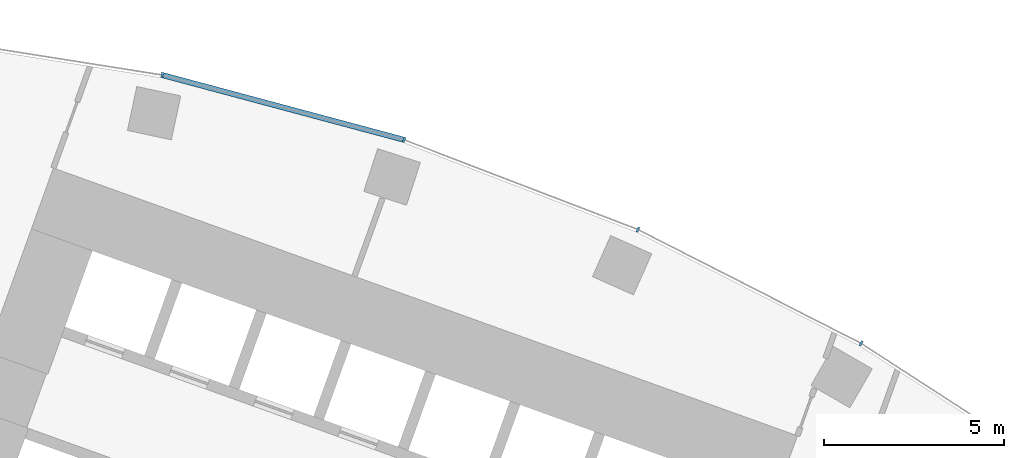
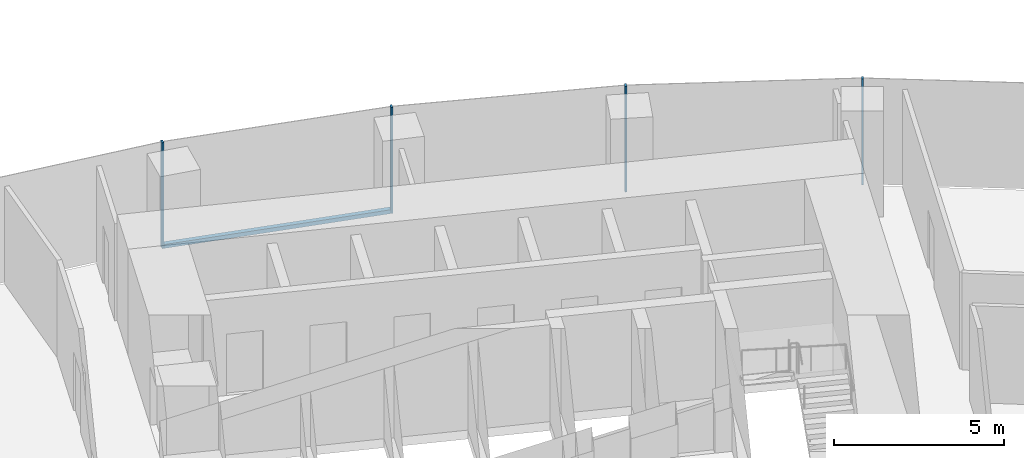
# One storey, part 11 of 21: 5 members, 1 element without a shape of its own.
"""IFC4 building model written with IfcOpenShell, lengths in metres."""

import ifcopenshell
import ifcopenshell.guid

model = None  # the IFC model being written
_history = None  # IfcOwnerHistory: only IFC2X3 demands one
_inside = {}  # id of a spatial element -> (the spatial element, [elements in it])
_under = {}  # id of a project, library or spatial element -> (it, [spatial elements below it])
_declared = {}  # id of a project -> (the project, [libraries it declares])
_typed = {}  # id of a type object -> (the type object, [elements of that type])
_made_of = {}  # id of a material, layer set ... -> (it, [elements and type objects made of it])


def new_model(schema):
    """Start an empty IFC model of exactly this schema.

    Asked for "IFC4X3", IfcOpenShell would pick the latest addendum, in which some entities
    have other attributes; the version numbers below select the first issue.
    IFC2X3 requires an IfcOwnerHistory on every rooted entity: one is made here for all.
    """
    global model, _history
    if schema == "IFC4X3":
        model = ifcopenshell.file(schema_version=(4, 3, 0, 0))
    else:
        model = ifcopenshell.file(schema=schema)
    _inside.clear()
    _under.clear()
    _declared.clear()
    _typed.clear()
    _made_of.clear()
    _history = None
    if model.schema == "IFC2X3":
        org = make("IfcOrganization", Name="unknown")
        user = make(
            "IfcPersonAndOrganization",
            ThePerson=make("IfcPerson", FamilyName="unknown"),
            TheOrganization=org,
        )
        app = make(
            "IfcApplication",
            ApplicationDeveloper=org,
            Version="unknown",
            ApplicationFullName="unknown",
            ApplicationIdentifier="unknown",
        )
        _history = make(
            "IfcOwnerHistory",
            OwningUser=user,
            OwningApplication=app,
            ChangeAction="ADDED",
            CreationDate=0,
        )
    return model


def make(cls, **values):
    """One entity of the class cls with the attributes given. An attribute that is None is left unset."""
    return model.create_entity(
        cls, **{name: value for name, value in values.items() if value is not None}
    )


def rooted(cls, **values):
    """An entity with a GlobalId (a new one), such as an element, a storey or a relation."""
    return make(cls, GlobalId=ifcopenshell.guid.new(), OwnerHistory=_history, **values)


def si_unit(unit_type, name, prefix=None):
    """IfcSIUnit, for example si_unit("LENGTHUNIT", "METRE", prefix="MILLI")."""
    return make("IfcSIUnit", UnitType=unit_type, Prefix=prefix, Name=name)


def assignment(units):
    """IfcUnitAssignment: the units of a project."""
    return None if units is None else make("IfcUnitAssignment", Units=units)


def point(xyz):
    """IfcCartesianPoint."""
    return None if xyz is None else make("IfcCartesianPoint", Coordinates=xyz)


def direction(xyz):
    """IfcDirection."""
    return None if xyz is None else make("IfcDirection", DirectionRatios=xyz)


def frame(location, z_axis=None, x_axis=None):
    """IfcAxis2Placement3D, a coordinate frame: its origin and axes. An axis left out is left unset."""
    return make(
        "IfcAxis2Placement3D",
        Location=point(location),
        Axis=direction(z_axis),
        RefDirection=direction(x_axis),
    )


def frame_2d(location, x_axis=None):
    """IfcAxis2Placement2D, a coordinate frame in the plane: its origin and x axis."""
    return make(
        "IfcAxis2Placement2D", Location=point(location), RefDirection=direction(x_axis)
    )


def origin():
    """The frame at (0, 0, 0) with its axes left unset."""
    return frame((0.0, 0.0, 0.0))


def origin_2d():
    """The frame at (0, 0) in the plane with its x axis left unset."""
    return frame_2d((0.0, 0.0))


def place(relative_to, where):
    """IfcLocalPlacement: puts the frame where relative to a parent placement (None: the world)."""
    return make(
        "IfcLocalPlacement", PlacementRelTo=relative_to, RelativePlacement=where
    )


def context(
    kind, dimensions, precision=None, world=None, true_north=None, identifier=None
):
    """IfcGeometricRepresentationContext, for example the 3D "Model" context."""
    return make(
        "IfcGeometricRepresentationContext",
        ContextIdentifier=identifier,
        ContextType=kind,
        CoordinateSpaceDimension=dimensions,
        Precision=precision,
        WorldCoordinateSystem=world,
        TrueNorth=true_north,
    )


def subcontext(parent, identifier, kind, view, scale=None):
    """IfcGeometricRepresentationSubContext, for example "Body" below "Model"."""
    return make(
        "IfcGeometricRepresentationSubContext",
        ContextIdentifier=identifier,
        ContextType=kind,
        ParentContext=parent,
        TargetScale=scale,
        TargetView=view,
    )


def project(units=None, contexts=None):
    """IfcProject with its units and contexts."""
    return rooted(
        "IfcProject",
        Name="project",
        RepresentationContexts=contexts,
        UnitsInContext=assignment(units),
    )


def spatial(cls, under=None, at=None, **own):
    """A site, building, storey or space (cls), placed at a placement, below another one or the project."""
    s = rooted(cls, ObjectPlacement=at, **own)
    if under is not None:
        _under.setdefault(under.id(), (under, []))[1].append(s)
    return s


def profile(cls, at=None, kind="AREA", **sizes):
    """A parametric profile (cls). Its sizes go by their IFC names, for example OverallWidth=200.0."""
    return make(cls, ProfileType=kind, Position=at, **sizes)


def rectangle(**sizes):
    """IfcRectangleProfileDef."""
    return profile("IfcRectangleProfileDef", **sizes)


def extrude(swept, where, along, depth):
    """IfcExtrudedAreaSolid: the profile swept, set in the frame where, extruded along a direction by depth."""
    return make(
        "IfcExtrudedAreaSolid",
        SweptArea=swept,
        Position=where,
        ExtrudedDirection=direction(along),
        Depth=depth,
    )


def shape(context_of_items, identifier, shape_type, items):
    """IfcShapeRepresentation: the items that make up one representation, for example the "Body"."""
    return make(
        "IfcShapeRepresentation",
        ContextOfItems=context_of_items,
        RepresentationIdentifier=identifier,
        RepresentationType=shape_type,
        Items=items,
    )


def material(Name=None, Category=None):
    """IfcMaterial."""
    return make("IfcMaterial", Name=Name, Category=Category)


def layer(
    of_material, thickness, ventilated=None, Name=None, Category=None, Priority=None
):
    """IfcMaterialLayer: one layer of a wall or slab, of a material (None: an air gap)."""
    return make(
        "IfcMaterialLayer",
        Material=of_material,
        LayerThickness=thickness,
        IsVentilated=ventilated,
        Name=Name,
        Category=Category,
        Priority=Priority,
    )


def layer_set(layers, Name=None):
    """IfcMaterialLayerSet."""
    return make("IfcMaterialLayerSet", MaterialLayers=layers, LayerSetName=Name)


def material_profile(
    of_material, cross_section, Name=None, Category=None, Priority=None
):
    """IfcMaterialProfile: a cross section and its material."""
    return make(
        "IfcMaterialProfile",
        Name=Name,
        Material=of_material,
        Profile=cross_section,
        Priority=Priority,
        Category=Category,
    )


def profile_set(profiles, Name=None, composite=None):
    """IfcMaterialProfileSet."""
    return make(
        "IfcMaterialProfileSet",
        Name=Name,
        MaterialProfiles=profiles,
        CompositeProfile=composite,
    )


def made_of(thing, what):
    """Note that an element or type object is made of a material, layer set ...; save() writes the relation."""
    if what is not None:
        _made_of.setdefault(what.id(), (what, []))[1].append(thing)
    return thing


def type_object(cls, material=None, **own):
    """A type object (cls), such as IfcWallType, which elements share."""
    return made_of(rooted(cls, **own), material)


def element(
    cls,
    number,
    at=None,
    inside=None,
    cuts=None,
    type_object=None,
    material=None,
    context=None,
    identifier="Body",
    shape_type=None,
    held_by="IfcProductDefinitionShape",
    body=None,
    shapes=None,
    **own,
):
    """One element of the class cls, such as IfcWall. Its Tag is "e" and its number.

    at: its placement. inside: the storey or other place that contains it. cuts: it is an
    opening in that element (IfcRelVoidsElement). A single representation is given by context,
    identifier, shape_type and body (its items); several are given by shapes. held_by: the class
    of the entity that holds the representations. save() writes the other relations.
    """
    e = rooted(cls, Tag="e%d" % number, ObjectPlacement=at, **own)
    if body is not None:
        shapes = [shape(context, identifier, shape_type, body)]
    if shapes is not None:
        e.Representation = make(held_by, Representations=shapes)
    if inside is not None:
        _inside.setdefault(inside.id(), (inside, []))[1].append(e)
    if cuts is not None:
        rooted(
            "IfcRelVoidsElement", RelatingBuildingElement=cuts, RelatedOpeningElement=e
        )
    if type_object is not None:
        _typed.setdefault(type_object.id(), (type_object, []))[1].append(e)
    return made_of(e, material)


def aggregate(whole, parts):
    """IfcRelAggregates: a whole, such as a stair, and the parts it consists of."""
    return rooted("IfcRelAggregates", RelatingObject=whole, RelatedObjects=parts)


def save(model, path):
    """Write the relations noted so far, then the file.

    IfcRelAggregates (storeys below a building ...), IfcRelContainedInSpatialStructure (elements
    in a storey), IfcRelDefinesByType, IfcRelAssociatesMaterial and IfcRelDeclares: one each for
    every whole, place, type object, material and project.
    """
    for whole, parts in _under.values():
        aggregate(whole, parts)
    for where, things in _inside.values():
        rooted(
            "IfcRelContainedInSpatialStructure",
            RelatedElements=things,
            RelatingStructure=where,
        )
    for kind, things in _typed.values():
        rooted("IfcRelDefinesByType", RelatedObjects=things, RelatingType=kind)
    for what, things in _made_of.values():
        rooted("IfcRelAssociatesMaterial", RelatedObjects=things, RelatingMaterial=what)
    for by, libraries in _declared.values():
        rooted("IfcRelDeclares", RelatingContext=by, RelatedDefinitions=libraries)
    model.write(path)


model = new_model("IFC4")

# Units and contexts
model_context = context("Model", 3, precision=1e-05, world=origin(), true_north=direction((0.0, 1.0)))
body_context = subcontext(model_context, "Body", "Model", "MODEL_VIEW")
ifc_project = project(units=[si_unit("LENGTHUNIT", "METRE"), si_unit("AREAUNIT", "SQUARE_METRE"), si_unit("VOLUMEUNIT", "CUBIC_METRE"), si_unit("PLANEANGLEUNIT", "RADIAN"), si_unit("MASSUNIT", "GRAM", prefix="KILO")], contexts=[model_context])

# Site, building, storey
site_placement = place(None, origin())
site = spatial("IfcSite", under=ifc_project, at=site_placement, CompositionType="ELEMENT")
building_placement = place(site_placement, origin())
building = spatial("IfcBuilding", under=site, at=building_placement, Name="Stone Belt Terrace Tower", CompositionType="ELEMENT")
storey_placement = place(building_placement, frame((0.0, 0.0, 45.199951171875)))
storey = spatial("IfcBuildingStorey", under=building, at=storey_placement, Name="L10", CompositionType="ELEMENT", Elevation=45.199951171875)

# Curtain wall, members
ifc_material = material(Name="Aluminium 6063-T6 anodised frame", Category="aluminium")
ifc_layer = layer(ifc_material, 0.14990234375)
ifc_layer_set = layer_set([ifc_layer], Name="CW-A unitised convex-face curtain wall")
curtain_wall_type = type_object("IfcCurtainWallType", Name="CW-A unitised convex-face curtain wall", PredefinedType="NOTDEFINED", material=ifc_layer_set)
curtain_wall_placement = place(storey_placement, origin())
curtain_wall = element("IfcCurtainWall", 1, at=curtain_wall_placement, inside=storey, type_object=curtain_wall_type, Name="CW-A convex face L10", PredefinedType="NOTDEFINED")
ifc_material_profile_1 = material_profile(ifc_material, rectangle(XDim=0.14990234375, YDim=0.06005859375, at=origin_2d()), Name="Aluminium 6063-T6 60x150")
ifc_profile_set_1 = profile_set([ifc_material_profile_1], Name="Aluminium 6063-T6 anodised frame")
member_type_1 = type_object("IfcMemberType", Name="CW-A mullion 60 x 150", PredefinedType="MULLION", material=ifc_profile_set_1)
member_1_placement = place(storey_placement, frame((33.28759765625, 57.65576171875, 0.0), z_axis=(0.0, 0.0, 1.0), x_axis=(-0.5, -0.866025403784, 0.0)))
member_1 = element("IfcMember", 2, at=member_1_placement, type_object=member_type_1, Name="CW-A mullion 5", PredefinedType="MULLION", context=body_context, shape_type="SweptSolid", body=[
    extrude(rectangle(XDim=0.14990234375, YDim=0.06005859375, at=origin_2d()), origin(), (0.0, 0.0, 1.0), 3.800048828125),
])
member_2_placement = place(storey_placement, frame((27.07861328125, 60.8193359375, 0.0), z_axis=(0.0, 0.0, 1.0), x_axis=(-0.406736643076, -0.913545457643, 0.0)))
member_2 = element("IfcMember", 3, at=member_2_placement, type_object=member_type_1, Name="CW-A mullion 6", PredefinedType="MULLION", context=body_context, shape_type="SweptSolid", body=[
    extrude(rectangle(XDim=0.14990234375, YDim=0.06005859375, at=origin_2d()), origin(), (0.0, 0.0, 1.0), 3.800048828125),
])
member_3_placement = place(storey_placement, frame((20.57275390625, 63.316650390625, 0.0), z_axis=(0.0, 0.0, 1.0), x_axis=(-0.309016994375, -0.951056516295, 0.0)))
member_3 = element("IfcMember", 4, at=member_3_placement, type_object=member_type_1, Name="CW-A mullion 7", PredefinedType="MULLION", context=body_context, shape_type="SweptSolid", body=[
    extrude(rectangle(XDim=0.14990234375, YDim=0.06005859375, at=origin_2d()), origin(), (0.0, 0.0, 1.0), 3.800048828125),
])
member_4_placement = place(storey_placement, frame((13.841796875, 65.120361328125, 0.0), z_axis=(0.0, 0.0, 1.0), x_axis=(-0.207911690818, -0.978147600734, 0.0)))
member_4 = element("IfcMember", 5, at=member_4_placement, type_object=member_type_1, Name="CW-A mullion 8", PredefinedType="MULLION", context=body_context, shape_type="SweptSolid", body=[
    extrude(rectangle(XDim=0.14990234375, YDim=0.06005859375, at=origin_2d()), origin(), (0.0, 0.0, 1.0), 3.800048828125),
])
ifc_material_profile_2 = material_profile(ifc_material, rectangle(XDim=0.14990234375, YDim=0.139892578125, at=origin_2d()), Name="Aluminium 6063-T6 150x140")
ifc_profile_set_2 = profile_set([ifc_material_profile_2], Name="Aluminium 6063-T6 anodised frame")
member_type_2 = type_object("IfcMemberType", Name="CW-A transom 140 x 150", PredefinedType="USERDEFINED", material=ifc_profile_set_2)
member_5_placement = place(storey_placement, frame((20.5400390625, 63.325439453125, 0.070068359375), z_axis=(-0.965921835863, 0.258833937117, 0.0), x_axis=(-0.258833937117, -0.965921835863, 0.0)))
member_5 = element("IfcMember", 6, at=member_5_placement, type_object=member_type_2, Name="CW-A transom 7.1", ObjectType="TRANSOM", PredefinedType="USERDEFINED", context=body_context, shape_type="SweptSolid", body=[
    extrude(rectangle(XDim=0.14990234375, YDim=0.139892578125, at=origin_2d()), origin(), (0.0, 0.0, 1.0), 6.900634765625),
])
aggregate(curtain_wall, [member_1, member_2, member_3, member_4, member_5])

save(model, "model.ifc")
